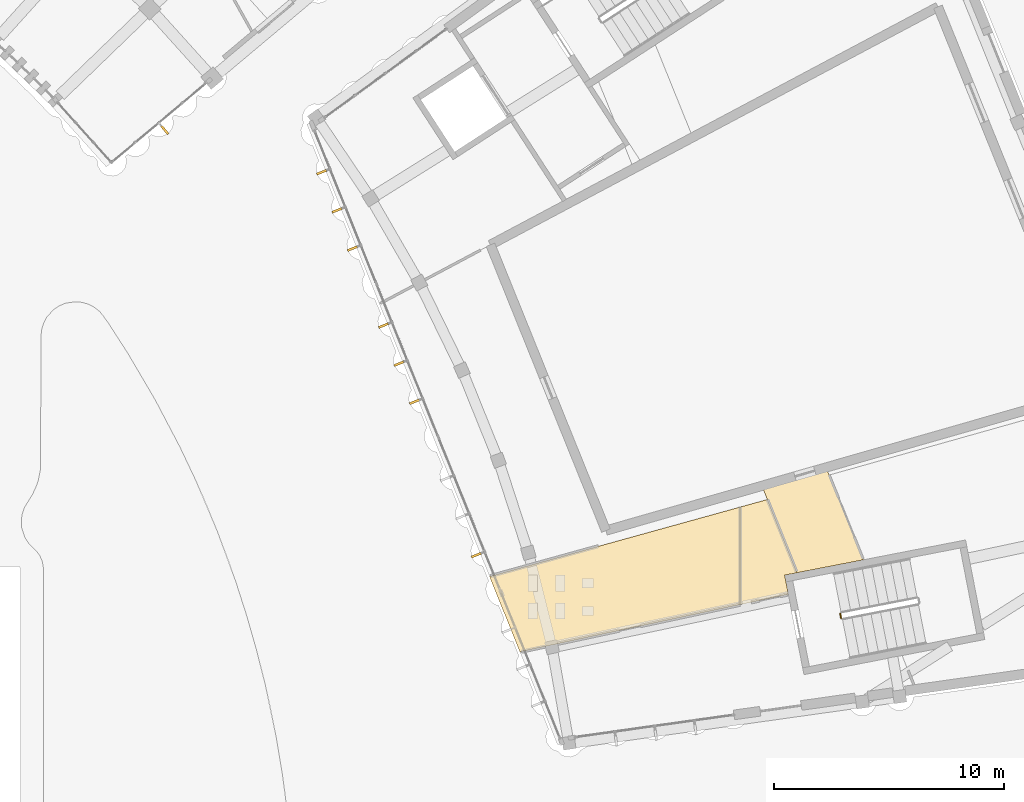
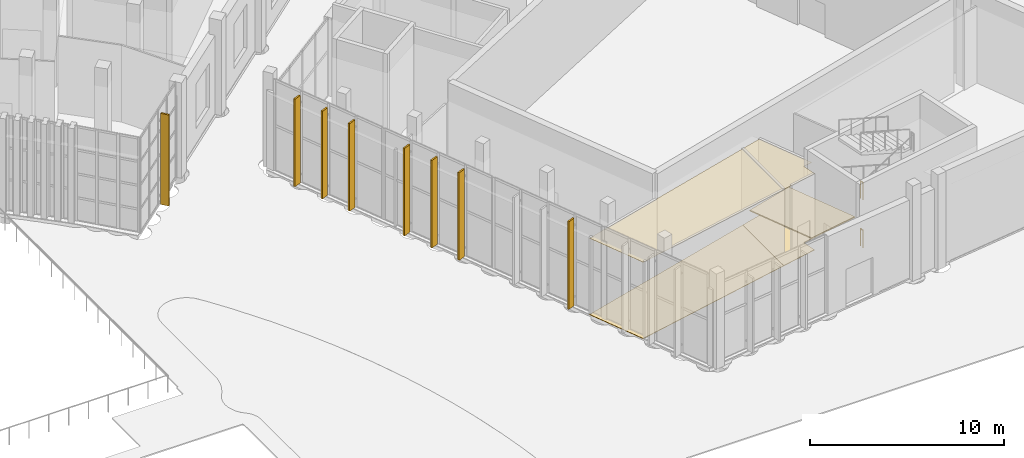
# One storey, part 141 of 155: 8 shading devices, 5 coverings, 2 railings.
"""IFC4 building model written with IfcOpenShell, lengths in metres."""

from ifc_helpers import new_model, si_unit, direction, frame, origin, origin_2d, place, context, subcontext, project, spatial, polyline, rectangle, circle, outline, extrude, material, layer, layer_set, type_object, element, save


model = new_model("IFC4")

# Units and contexts
model_context = context("Model", 3, precision=1e-05, world=origin(), true_north=direction((0.0, 1.0)))
body_context = subcontext(model_context, "Body", "Model", "MODEL_VIEW")
ifc_project = project(units=[si_unit("LENGTHUNIT", "METRE"), si_unit("AREAUNIT", "SQUARE_METRE"), si_unit("VOLUMEUNIT", "CUBIC_METRE"), si_unit("PLANEANGLEUNIT", "RADIAN"), si_unit("MASSUNIT", "GRAM", prefix="KILO")], contexts=[model_context])

# Site, building, storey
site_placement = place(None, origin())
site = spatial("IfcSite", under=ifc_project, at=site_placement, CompositionType="ELEMENT")
building_placement = place(site_placement, origin())
building = spatial("IfcBuilding", under=site, at=building_placement, Name="Lunette Opera House", CompositionType="ELEMENT")
storey_placement = place(building_placement, origin())
storey = spatial("IfcBuildingStorey", under=building, at=storey_placement, Name="L00", CompositionType="ELEMENT", Elevation=0.0)

# Covering
ifc_material_1 = material(Name="Cement screed")
ifc_layer_1 = layer(ifc_material_1, 0.070068359375)
ifc_layer_set_1 = layer_set([ifc_layer_1], Name="Cement screed")
covering_type_1 = type_object("IfcCoveringType", Name="SCREED FLOOR FINISH 70", PredefinedType="FLOORING", material=ifc_layer_set_1)
covering_1_placement = place(storey_placement, origin())
element("IfcCovering", 1, at=covering_1_placement, inside=storey, type_object=covering_type_1, Name="Floor finish Studio Corridor South East", PredefinedType="FLOORING", context=body_context, shape_type="SweptSolid", body=[
    extrude(outline(polyline([(166.389892578125, 15.923095703125), (165.81298828125, 15.81103515625), (164.2900390625, 19.58203125), (167.076904296875, 20.381103515625), (168.697021484375, 16.3720703125), (166.389892578125, 15.923095703125)])), origin(), (0.0, 0.0, 1.0), 0.070068359375),
])

# Shading devices
ifc_material_2 = material(Name="Powder-coated aluminium", Category="aluminium")
shading_device_type = type_object("IfcShadingDeviceType", Name="SOLAR FIN 100 X 450", PredefinedType="USERDEFINED", material=ifc_material_2)
shading_device_placement = place(storey_placement, frame((138.373046875, 35.027099609375, 0.1142578125), z_axis=(0.0, 0.0, 1.0), x_axis=(0.642827718799, -0.766010785788, 0.0)))
element("IfcShadingDevice", 2, at=shading_device_placement, inside=storey, type_object=shading_device_type, Name="Solar fin FC-X2172 2", ObjectType="SOLAR FIN", PredefinedType="USERDEFINED", context=body_context, shape_type="SweptSolid", body=[
    extrude(rectangle(XDim=0.449951171875, YDim=0.10009765625, at=origin_2d()), origin(), (0.0, 0.0, 1.0), 5.735107421875),
])
for number, where, z_axis, x_axis, name in (
    (3, (145.178955078125, 33.195068359375, 0.11572265625), (0.0, 0.0, 1.0), (-0.927168162269, -0.374645430874, 0.0), "Solar fin SB-X2001 1"),
    (4, (145.847900390625, 31.5390625, 0.11572265625), (0.0, 0.0, 1.0), (-0.927168162269, -0.374645430874, 0.0), "Solar fin SB-X2001 2"),
    (5, (146.51806640625, 29.882080078125, 0.11572265625), (0.0, 0.0, 1.0), (-0.927168162269, -0.374645430874, 0.0), "Solar fin SB-X2001 3"),
    (6, (147.866943359375, 26.5419921875, 0.11572265625), (0.0, 0.0, 1.0), (-0.927187777387, -0.374596883949, 0.0), "Solar fin SB-X2002 1"),
    (7, (148.535888671875, 24.885009765625, 0.11572265625), (0.0, 0.0, 1.0), (-0.927187777387, -0.374596883949, 0.0), "Solar fin SB-X2002 2"),
    (8, (149.2060546875, 23.22900390625, 0.11572265625), (0.0, 0.0, 1.0), (-0.927187777387, -0.374596883949, 0.0), "Solar fin SB-X2002 3"),
    (9, (151.89404296875, 16.574951171875, 0.11572265625), (0.0, 0.0, 1.0), (-0.927168162269, -0.374645430874, 0.0), "Solar fin SB-X2003 3"),
):
    element("IfcShadingDevice", number, at=place(storey_placement, frame(where, z_axis=z_axis, x_axis=x_axis)), inside=storey, type_object=shading_device_type, Name=name, ObjectType="SOLAR FIN", PredefinedType="USERDEFINED", context=body_context, shape_type="SweptSolid", body=[
        extrude(rectangle(XDim=0.449951171875, YDim=0.10009765625, at=origin_2d()), origin(), (0.0, 0.0, 1.0), 5.514892578125),
    ])

# Railings
ifc_material_3 = material(Name="Steel S355", Category="steel")
railing_type = type_object("IfcRailingType", Name="STAIR GUARD 1100", PredefinedType="GUARDRAIL", material=ifc_material_3)
for number, where, name in (
    (10, (167.726806640625, 13.840576171875, 3.0), "L00 ST22 stair guard 4"),
    (11, (167.726806640625, 13.840576171875, 0.0), "L00 ST22 stair guard 8"),
):
    element("IfcRailing", number, at=place(storey_placement, frame(where)), inside=storey, type_object=railing_type, Name=name, PredefinedType="GUARDRAIL", context=body_context, shape_type="SweptSolid", body=[
        extrude(circle(Radius=0.02392578125, at=origin_2d()), frame((0.0, 0.0, 1.076171875), z_axis=(-0.190706053889, 0.981647187644, 0.0), x_axis=(-0.981647187644, -0.190706053889, 0.0)), (0.0, 0.0, 1.0), 0.19970703125),
        extrude(circle(Radius=0.02099609375, at=origin_2d()), origin(), (0.0, 0.0, 1.0), 1.052001953125),
        extrude(circle(Radius=0.02099609375, at=origin_2d()), frame((-0.0380859375, 0.196044921875, 0.0)), (0.0, 0.0, 1.0), 1.052001953125),
    ])

# Coverings
ifc_material_4 = material(Name="Mineral fibre board")
ifc_layer_2 = layer(ifc_material_4, 0.014892578125)
ifc_layer_set_2 = layer_set([ifc_layer_2], Name="Mineral fibre board")
covering_type_2 = type_object("IfcCoveringType", Name="SUSPENDED ACOUSTIC CEILING 15", PredefinedType="CEILING", material=ifc_layer_set_2)
covering_2_placement = place(storey_placement, frame((0.0, 0.0, 4.81494140625)))
element("IfcCovering", 12, at=covering_2_placement, inside=storey, type_object=covering_type_2, Name="Ceiling Studio WC", PredefinedType="CEILING", context=body_context, shape_type="SweptSolid", body=[
    extrude(outline(polyline([(153.7880859375, 12.3779296875), (152.467041015625, 15.64794921875), (163.341064453125, 18.660888671875), (163.341064453125, 14.425048828125), (153.7880859375, 12.3779296875)])), origin(), (0.0, 0.0, 1.0), 0.01513671875),
])
covering_3_placement = place(storey_placement, frame((0.0, 0.0, 4.81494140625)))
element("IfcCovering", 13, at=covering_3_placement, inside=storey, type_object=covering_type_2, Name="Ceiling Accessible WC Studio", PredefinedType="CEILING", context=body_context, shape_type="SweptSolid", body=[
    extrude(outline(polyline([(165.43798828125, 14.8740234375), (163.341064453125, 14.425048828125), (163.341064453125, 18.660888671875), (164.529052734375, 18.989990234375), (165.81298828125, 15.81103515625), (165.27587890625, 15.70703125), (165.43798828125, 14.8740234375)])), origin(), (0.0, 0.0, 1.0), 0.01513671875),
])
ifc_material_5 = material(Name="Ceramic tile")
ifc_layer_3 = layer(ifc_material_5, 0.02490234375)
ifc_layer_set_3 = layer_set([ifc_layer_3], Name="Ceramic tile")
covering_type_3 = type_object("IfcCoveringType", Name="TILED FLOOR FINISH 25", PredefinedType="FLOORING", material=ifc_layer_set_3)
covering_4_placement = place(storey_placement, origin())
element("IfcCovering", 14, at=covering_4_placement, inside=storey, type_object=covering_type_3, Name="Floor finish Studio WC", PredefinedType="FLOORING", context=body_context, shape_type="SweptSolid", body=[
    extrude(outline(polyline([(153.7880859375, 12.3779296875), (152.467041015625, 15.64794921875), (163.341064453125, 18.660888671875), (163.341064453125, 14.425048828125), (153.7880859375, 12.3779296875)])), origin(), (0.0, 0.0, 1.0), 0.02490234375),
])
covering_5_placement = place(storey_placement, origin())
element("IfcCovering", 15, at=covering_5_placement, inside=storey, type_object=covering_type_3, Name="Floor finish Accessible WC Studio", PredefinedType="FLOORING", context=body_context, shape_type="SweptSolid", body=[
    extrude(outline(polyline([(165.43798828125, 14.8740234375), (163.341064453125, 14.425048828125), (163.341064453125, 18.660888671875), (164.529052734375, 18.989990234375), (165.81298828125, 15.81103515625), (165.27587890625, 15.70703125), (165.43798828125, 14.8740234375)])), origin(), (0.0, 0.0, 1.0), 0.02490234375),
])

save(model, "model.ifc")
